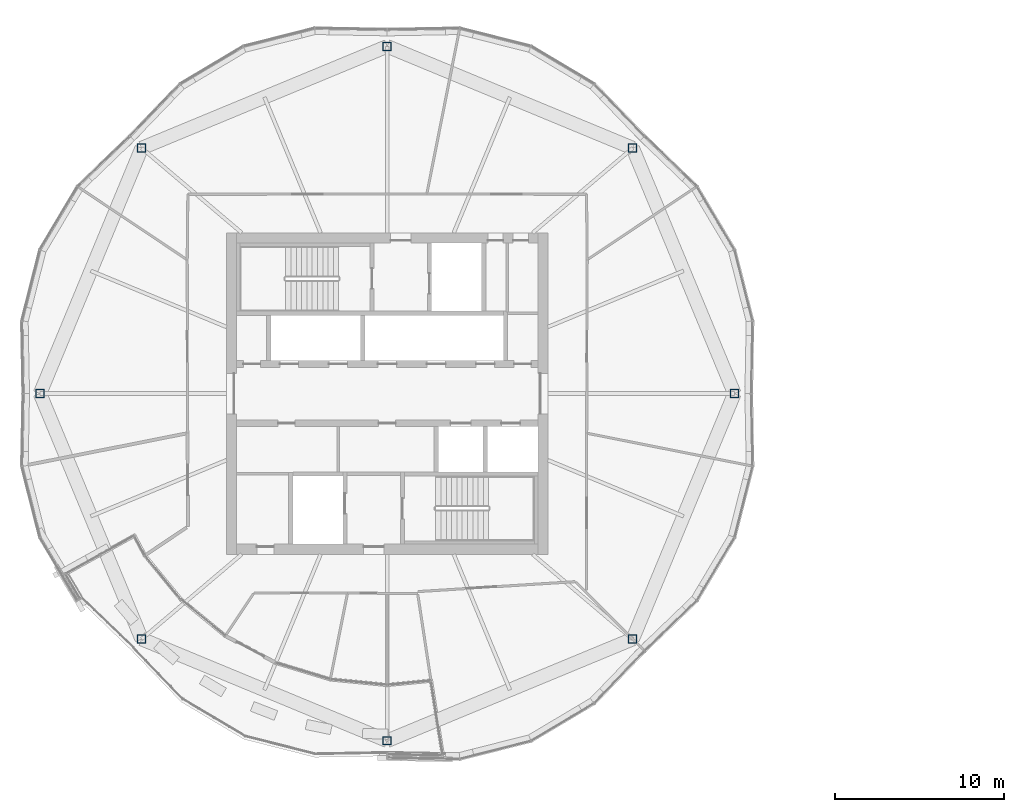
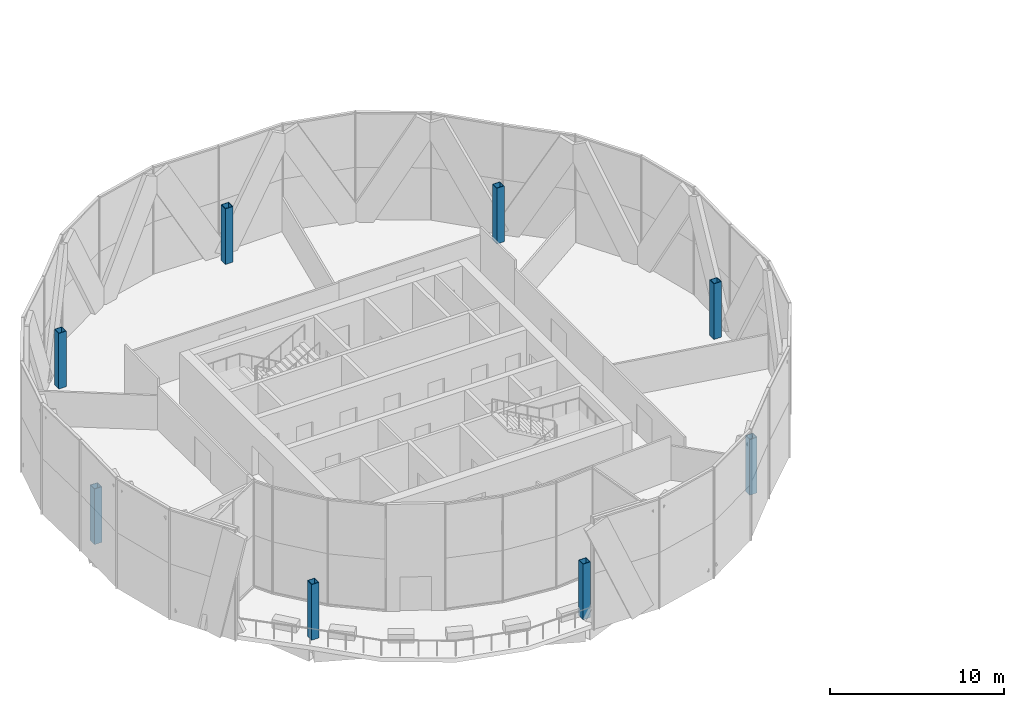
# One storey, part 1 of 27: 8 columns.
"""IFC4 building model written with IfcOpenShell, lengths in metres."""

from ifc_helpers import new_model, si_unit, direction, frame, origin, origin_2d, place, context, subcontext, project, spatial, hollow_rectangle, extrude, material, material_profile, profile_set, type_object, element, save


model = new_model("IFC4")

# Units and contexts
model_context = context("Model", 3, precision=1e-05, world=origin(), true_north=direction((0.0, 1.0)))
body_context = subcontext(model_context, "Body", "Model", "MODEL_VIEW")
ifc_project = project(units=[si_unit("LENGTHUNIT", "METRE"), si_unit("AREAUNIT", "SQUARE_METRE"), si_unit("VOLUMEUNIT", "CUBIC_METRE"), si_unit("PLANEANGLEUNIT", "RADIAN"), si_unit("MASSUNIT", "GRAM", prefix="KILO")], contexts=[model_context])

# Site, building, storey
site_placement = place(None, origin())
site = spatial("IfcSite", under=ifc_project, at=site_placement, CompositionType="ELEMENT")
building_placement = place(site_placement, origin())
building = spatial("IfcBuilding", under=site, at=building_placement, Name="Ogive Gate Towers", CompositionType="ELEMENT")
storey_placement = place(building_placement, frame((0.0, 0.0, 189.0)))
storey = spatial("IfcBuildingStorey", under=building, at=storey_placement, Name="L45", CompositionType="ELEMENT", Elevation=189.0)

# Columns
ifc_material = material(Name="Steel SM460", Category="steel")
ifc_material_profile = material_profile(ifc_material, hollow_rectangle(XDim=0.5, YDim=0.5, WallThickness=0.030029296875, at=origin_2d()), Name="BX 500x500x30")
ifc_profile_set = profile_set([ifc_material_profile], Name="Steel SM460")
column_type = type_object("IfcColumnType", Name="Perimeter post BX 500x500x30", PredefinedType="COLUMN", material=ifc_profile_set)
for number, where, z_axis, x_axis, name in (
    (1, (-15.47998046875, 0.0, 0.0), (0.0, 0.0, 1.0), (1.0, 0.0, 0.0), "T1/L45/SCL001"),
    (2, (-21.490234375, 14.509765625, 0.0), (0.0, 0.0, 1.0), (1.0, 0.0, 0.0), "T1/L45/SCL002"),
    (3, (-36.0, 20.52001953125, 0.0), (0.0, 0.0, 1.0), (1.0, 0.0, 0.0), "T1/L45/SCL003"),
    (4, (-50.509765625, 14.509765625, 0.0), (0.0, 0.0, 1.0), (1.0, 0.0, 0.0), "T1/L45/SCL004"),
    (5, (-56.52001953125, 0.0, 0.0), (0.0, 0.0, 1.0), (1.0, 0.0, 0.0), "T1/L45/SCL005"),
    (6, (-50.509765625, -14.509765625, 0.0), (0.0, 0.0, 1.0), (1.0, 0.0, 0.0), "T1/L45/SCL006"),
    (7, (-36.0, -20.52001953125, 0.0), (0.0, 0.0, 1.0), (1.0, 0.0, 0.0), "T1/L45/SCL007"),
    (8, (-21.490234375, -14.509765625, 0.0), (0.0, 0.0, 1.0), (1.0, 0.0, 0.0), "T1/L45/SCL008"),
):
    element("IfcColumn", number, at=place(storey_placement, frame(where, z_axis=z_axis, x_axis=x_axis)), inside=storey, type_object=column_type, Name=name, PredefinedType="COLUMN", context=body_context, shape_type="SweptSolid", body=[
        extrude(hollow_rectangle(XDim=0.5, YDim=0.5, WallThickness=0.030029296875, at=origin_2d()), origin(), (0.0, 0.0, 1.0), 3.89990234375),
    ])

save(model, "model.ifc")
